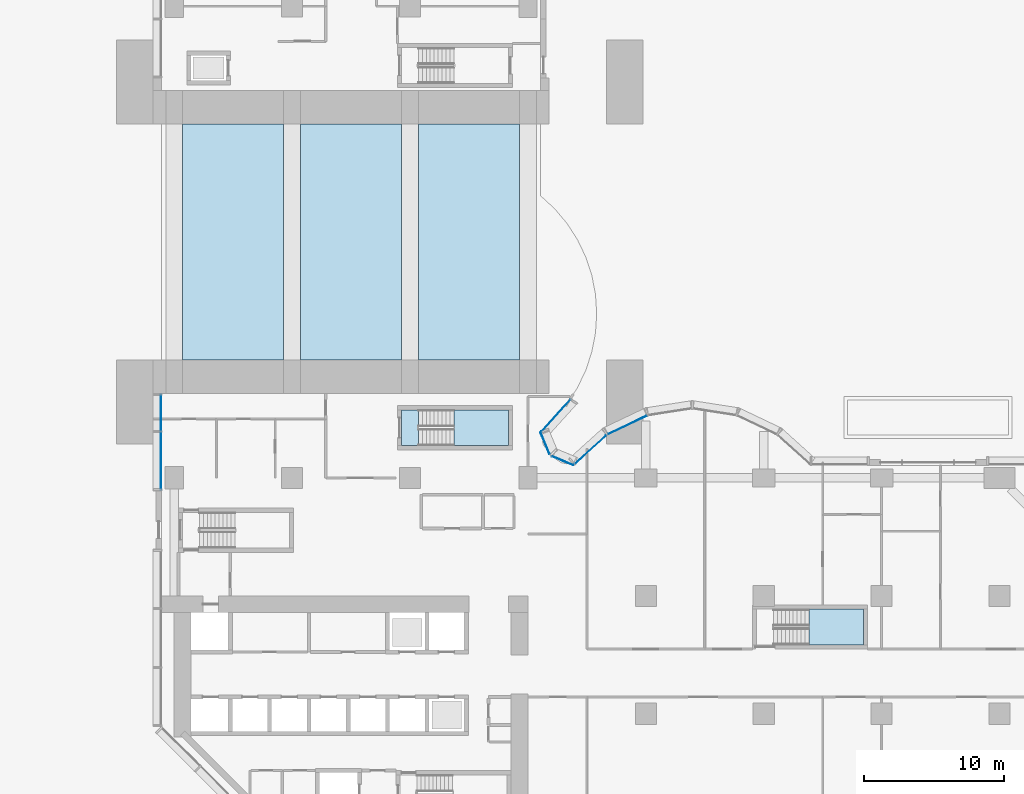
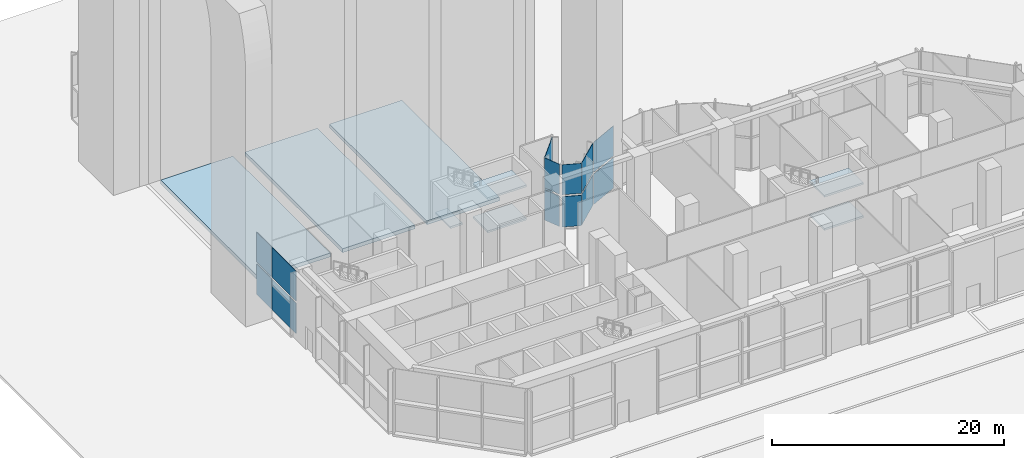
# One storey, part 5 of 21: 14 plates, 8 slabs, 6 elements without a shape of their own.
"""IFC4 building model written with IfcOpenShell, lengths in metres."""

import ifcopenshell
import ifcopenshell.guid

model = None  # the IFC model being written
_history = None  # IfcOwnerHistory: only IFC2X3 demands one
_inside = {}  # id of a spatial element -> (the spatial element, [elements in it])
_under = {}  # id of a project, library or spatial element -> (it, [spatial elements below it])
_declared = {}  # id of a project -> (the project, [libraries it declares])
_typed = {}  # id of a type object -> (the type object, [elements of that type])
_made_of = {}  # id of a material, layer set ... -> (it, [elements and type objects made of it])


def new_model(schema):
    """Start an empty IFC model of exactly this schema.

    Asked for "IFC4X3", IfcOpenShell would pick the latest addendum, in which some entities
    have other attributes; the version numbers below select the first issue.
    IFC2X3 requires an IfcOwnerHistory on every rooted entity: one is made here for all.
    """
    global model, _history
    if schema == "IFC4X3":
        model = ifcopenshell.file(schema_version=(4, 3, 0, 0))
    else:
        model = ifcopenshell.file(schema=schema)
    _inside.clear()
    _under.clear()
    _declared.clear()
    _typed.clear()
    _made_of.clear()
    _history = None
    if model.schema == "IFC2X3":
        org = make("IfcOrganization", Name="unknown")
        user = make(
            "IfcPersonAndOrganization",
            ThePerson=make("IfcPerson", FamilyName="unknown"),
            TheOrganization=org,
        )
        app = make(
            "IfcApplication",
            ApplicationDeveloper=org,
            Version="unknown",
            ApplicationFullName="unknown",
            ApplicationIdentifier="unknown",
        )
        _history = make(
            "IfcOwnerHistory",
            OwningUser=user,
            OwningApplication=app,
            ChangeAction="ADDED",
            CreationDate=0,
        )
    return model


def make(cls, **values):
    """One entity of the class cls with the attributes given. An attribute that is None is left unset."""
    return model.create_entity(
        cls, **{name: value for name, value in values.items() if value is not None}
    )


def rooted(cls, **values):
    """An entity with a GlobalId (a new one), such as an element, a storey or a relation."""
    return make(cls, GlobalId=ifcopenshell.guid.new(), OwnerHistory=_history, **values)


def si_unit(unit_type, name, prefix=None):
    """IfcSIUnit, for example si_unit("LENGTHUNIT", "METRE", prefix="MILLI")."""
    return make("IfcSIUnit", UnitType=unit_type, Prefix=prefix, Name=name)


def assignment(units):
    """IfcUnitAssignment: the units of a project."""
    return None if units is None else make("IfcUnitAssignment", Units=units)


def point(xyz):
    """IfcCartesianPoint."""
    return None if xyz is None else make("IfcCartesianPoint", Coordinates=xyz)


def direction(xyz):
    """IfcDirection."""
    return None if xyz is None else make("IfcDirection", DirectionRatios=xyz)


def frame(location, z_axis=None, x_axis=None):
    """IfcAxis2Placement3D, a coordinate frame: its origin and axes. An axis left out is left unset."""
    return make(
        "IfcAxis2Placement3D",
        Location=point(location),
        Axis=direction(z_axis),
        RefDirection=direction(x_axis),
    )


def origin():
    """The frame at (0, 0, 0) with its axes left unset."""
    return frame((0.0, 0.0, 0.0))


def place(relative_to, where):
    """IfcLocalPlacement: puts the frame where relative to a parent placement (None: the world)."""
    return make(
        "IfcLocalPlacement", PlacementRelTo=relative_to, RelativePlacement=where
    )


def context(
    kind, dimensions, precision=None, world=None, true_north=None, identifier=None
):
    """IfcGeometricRepresentationContext, for example the 3D "Model" context."""
    return make(
        "IfcGeometricRepresentationContext",
        ContextIdentifier=identifier,
        ContextType=kind,
        CoordinateSpaceDimension=dimensions,
        Precision=precision,
        WorldCoordinateSystem=world,
        TrueNorth=true_north,
    )


def subcontext(parent, identifier, kind, view, scale=None):
    """IfcGeometricRepresentationSubContext, for example "Body" below "Model"."""
    return make(
        "IfcGeometricRepresentationSubContext",
        ContextIdentifier=identifier,
        ContextType=kind,
        ParentContext=parent,
        TargetScale=scale,
        TargetView=view,
    )


def project(units=None, contexts=None):
    """IfcProject with its units and contexts."""
    return rooted(
        "IfcProject",
        Name="project",
        RepresentationContexts=contexts,
        UnitsInContext=assignment(units),
    )


def spatial(cls, under=None, at=None, **own):
    """A site, building, storey or space (cls), placed at a placement, below another one or the project."""
    s = rooted(cls, ObjectPlacement=at, **own)
    if under is not None:
        _under.setdefault(under.id(), (under, []))[1].append(s)
    return s


def polyline(points):
    """IfcPolyline through the points."""
    return make("IfcPolyline", Points=[point(p) for p in points])


def outline(outer, holes=None, kind="AREA"):
    """IfcArbitraryClosedProfileDef: a profile drawn as a closed curve; with holes, ...WithVoids."""
    if holes is None:
        return make("IfcArbitraryClosedProfileDef", ProfileType=kind, OuterCurve=outer)
    return make(
        "IfcArbitraryProfileDefWithVoids",
        ProfileType=kind,
        OuterCurve=outer,
        InnerCurves=holes,
    )


def extrude(swept, where, along, depth):
    """IfcExtrudedAreaSolid: the profile swept, set in the frame where, extruded along a direction by depth."""
    return make(
        "IfcExtrudedAreaSolid",
        SweptArea=swept,
        Position=where,
        ExtrudedDirection=direction(along),
        Depth=depth,
    )


def shape(context_of_items, identifier, shape_type, items):
    """IfcShapeRepresentation: the items that make up one representation, for example the "Body"."""
    return make(
        "IfcShapeRepresentation",
        ContextOfItems=context_of_items,
        RepresentationIdentifier=identifier,
        RepresentationType=shape_type,
        Items=items,
    )


def material(Name=None, Category=None):
    """IfcMaterial."""
    return make("IfcMaterial", Name=Name, Category=Category)


def layer(
    of_material, thickness, ventilated=None, Name=None, Category=None, Priority=None
):
    """IfcMaterialLayer: one layer of a wall or slab, of a material (None: an air gap)."""
    return make(
        "IfcMaterialLayer",
        Material=of_material,
        LayerThickness=thickness,
        IsVentilated=ventilated,
        Name=Name,
        Category=Category,
        Priority=Priority,
    )


def layer_set(layers, Name=None):
    """IfcMaterialLayerSet."""
    return make("IfcMaterialLayerSet", MaterialLayers=layers, LayerSetName=Name)


def made_of(thing, what):
    """Note that an element or type object is made of a material, layer set ...; save() writes the relation."""
    if what is not None:
        _made_of.setdefault(what.id(), (what, []))[1].append(thing)
    return thing


def type_object(cls, material=None, **own):
    """A type object (cls), such as IfcWallType, which elements share."""
    return made_of(rooted(cls, **own), material)


def element(
    cls,
    number,
    at=None,
    inside=None,
    cuts=None,
    type_object=None,
    material=None,
    context=None,
    identifier="Body",
    shape_type=None,
    held_by="IfcProductDefinitionShape",
    body=None,
    shapes=None,
    **own,
):
    """One element of the class cls, such as IfcWall. Its Tag is "e" and its number.

    at: its placement. inside: the storey or other place that contains it. cuts: it is an
    opening in that element (IfcRelVoidsElement). A single representation is given by context,
    identifier, shape_type and body (its items); several are given by shapes. held_by: the class
    of the entity that holds the representations. save() writes the other relations.
    """
    e = rooted(cls, Tag="e%d" % number, ObjectPlacement=at, **own)
    if body is not None:
        shapes = [shape(context, identifier, shape_type, body)]
    if shapes is not None:
        e.Representation = make(held_by, Representations=shapes)
    if inside is not None:
        _inside.setdefault(inside.id(), (inside, []))[1].append(e)
    if cuts is not None:
        rooted(
            "IfcRelVoidsElement", RelatingBuildingElement=cuts, RelatedOpeningElement=e
        )
    if type_object is not None:
        _typed.setdefault(type_object.id(), (type_object, []))[1].append(e)
    return made_of(e, material)


def aggregate(whole, parts):
    """IfcRelAggregates: a whole, such as a stair, and the parts it consists of."""
    return rooted("IfcRelAggregates", RelatingObject=whole, RelatedObjects=parts)


def save(model, path):
    """Write the relations noted so far, then the file.

    IfcRelAggregates (storeys below a building ...), IfcRelContainedInSpatialStructure (elements
    in a storey), IfcRelDefinesByType, IfcRelAssociatesMaterial and IfcRelDeclares: one each for
    every whole, place, type object, material and project.
    """
    for whole, parts in _under.values():
        aggregate(whole, parts)
    for where, things in _inside.values():
        rooted(
            "IfcRelContainedInSpatialStructure",
            RelatedElements=things,
            RelatingStructure=where,
        )
    for kind, things in _typed.values():
        rooted("IfcRelDefinesByType", RelatedObjects=things, RelatingType=kind)
    for what, things in _made_of.values():
        rooted("IfcRelAssociatesMaterial", RelatedObjects=things, RelatingMaterial=what)
    for by, libraries in _declared.values():
        rooted("IfcRelDeclares", RelatingContext=by, RelatedDefinitions=libraries)
    model.write(path)


model = new_model("IFC4")

# Units and contexts
model_context = context("Model", 3, precision=1e-05, world=origin(), true_north=direction((0.0, 1.0)))
body_context = subcontext(model_context, "Body", "Model", "MODEL_VIEW")
ifc_project = project(units=[si_unit("LENGTHUNIT", "METRE"), si_unit("AREAUNIT", "SQUARE_METRE"), si_unit("VOLUMEUNIT", "CUBIC_METRE"), si_unit("PLANEANGLEUNIT", "RADIAN"), si_unit("MASSUNIT", "GRAM", prefix="KILO")], contexts=[model_context])

# Site, building, storey
site_placement = place(None, origin())
site = spatial("IfcSite", under=ifc_project, at=site_placement, CompositionType="ELEMENT")
building_placement = place(site_placement, origin())
building = spatial("IfcBuilding", under=site, at=building_placement, Name="Brevane Broadcast Tower", CompositionType="ELEMENT")
storey_placement = place(building_placement, origin())
storey = spatial("IfcBuildingStorey", under=building, at=storey_placement, Name="L00", CompositionType="ELEMENT", Elevation=0.0)

# Curtain wall, plates
ifc_material_1 = material(Name="Aluminium 6063-T6 bronze anodised", Category="aluminium")
curtain_wall_type = type_object("IfcCurtainWallType", Name="CW-6 curtain wall", PredefinedType="NOTDEFINED", material=ifc_material_1)
curtain_wall_1_placement = place(storey_placement, origin())
curtain_wall_1 = element("IfcCurtainWall", 1, at=curtain_wall_1_placement, inside=storey, type_object=curtain_wall_type, Name="CW-6 ground storey storefront unit L00 east bow", PredefinedType="NOTDEFINED")
ifc_material_2 = material(Name="Laminated glass bronze-tinted", Category="glass")
ifc_layer_1 = layer(ifc_material_2, 0.0400390625)
ifc_layer_set_1 = layer_set([ifc_layer_1], Name="CW glass panel 40")
plate_type = type_object("IfcPlateType", Name="CW glass panel 40", PredefinedType="CURTAIN_PANEL", material=ifc_layer_set_1)
plate_1_placement = place(storey_placement, frame((0.0, 0.0, 0.199951171875)))
plate_1 = element("IfcPlate", 2, at=plate_1_placement, type_object=plate_type, Name="CW-6 glass panel", PredefinedType="CURTAIN_PANEL", context=body_context, shape_type="SweptSolid", body=[
    extrude(outline(polyline([(33.654541015625, 29.599365234375), (33.642578125, 29.637939453125), (30.911865234375, 28.337646484375), (30.934326171875, 28.30419921875), (33.654541015625, 29.599365234375)])), origin(), (0.0, 0.0, 1.0), 3.199951171875),
])
plate_2_placement = place(storey_placement, frame((0.0, 0.0, 3.60009765625)))
plate_2 = element("IfcPlate", 3, at=plate_2_placement, type_object=plate_type, Name="CW-6 glass panel", PredefinedType="CURTAIN_PANEL", context=body_context, shape_type="SweptSolid", body=[
    extrude(outline(polyline([(33.654541015625, 29.599365234375), (33.642578125, 29.637939453125), (30.911865234375, 28.337646484375), (30.934326171875, 28.30419921875), (33.654541015625, 29.599365234375)])), origin(), (0.0, 0.0, 1.0), 3.14990234375),
])
plate_3_placement = place(storey_placement, frame((0.0, 0.0, 0.199951171875)))
plate_3 = element("IfcPlate", 4, at=plate_3_placement, type_object=plate_type, Name="CW-6 glass panel", PredefinedType="CURTAIN_PANEL", context=body_context, shape_type="SweptSolid", body=[
    extrude(outline(polyline([(30.7822265625, 28.202392578125), (30.760009765625, 28.23583984375), (28.49755859375, 26.192138671875), (28.5244140625, 26.16259765625), (30.7822265625, 28.202392578125)])), origin(), (0.0, 0.0, 1.0), 3.199951171875),
])
plate_4_placement = place(storey_placement, frame((0.0, 0.0, 3.60009765625)))
plate_4 = element("IfcPlate", 5, at=plate_4_placement, type_object=plate_type, Name="CW-6 glass panel", PredefinedType="CURTAIN_PANEL", context=body_context, shape_type="SweptSolid", body=[
    extrude(outline(polyline([(30.7822265625, 28.202392578125), (30.760009765625, 28.23583984375), (28.49755859375, 26.192138671875), (28.5244140625, 26.16259765625), (30.7822265625, 28.202392578125)])), origin(), (0.0, 0.0, 1.0), 3.14990234375),
])
aggregate(curtain_wall_1, [plate_1, plate_2, plate_3, plate_4])

curtain_wall_2_placement = place(storey_placement, origin())
curtain_wall_2 = element("IfcCurtainWall", 6, at=curtain_wall_2_placement, inside=storey, type_object=curtain_wall_type, Name="CW-6 ground storey storefront unit L00 inner corner", PredefinedType="NOTDEFINED")
plate_5_placement = place(storey_placement, frame((0.0, 0.0, 0.199951171875)))
plate_5 = element("IfcPlate", 7, at=plate_5_placement, type_object=plate_type, Name="CW-6 glass panel", PredefinedType="CURTAIN_PANEL", context=body_context, shape_type="SweptSolid", body=[
    extrude(outline(polyline([(28.428466796875, 26.084228515625), (28.44384765625, 26.12109375), (26.918701171875, 26.7529296875), (26.88818359375, 26.722412109375), (28.428466796875, 26.084228515625)])), origin(), (0.0, 0.0, 1.0), 3.199951171875),
])
plate_6_placement = place(storey_placement, frame((0.0, 0.0, 3.60009765625)))
plate_6 = element("IfcPlate", 8, at=plate_6_placement, type_object=plate_type, Name="CW-6 glass panel", PredefinedType="CURTAIN_PANEL", context=body_context, shape_type="SweptSolid", body=[
    extrude(outline(polyline([(28.428466796875, 26.084228515625), (28.44384765625, 26.12109375), (26.918701171875, 26.7529296875), (26.88818359375, 26.722412109375), (28.428466796875, 26.084228515625)])), origin(), (0.0, 0.0, 1.0), 3.14990234375),
])
plate_7_placement = place(storey_placement, frame((0.0, 0.0, 0.199951171875)))
plate_7 = element("IfcPlate", 9, at=plate_7_placement, type_object=plate_type, Name="CW-6 glass panel", PredefinedType="CURTAIN_PANEL", context=body_context, shape_type="SweptSolid", body=[
    extrude(outline(polyline([(26.722412109375, 26.88818359375), (26.7529296875, 26.918701171875), (26.12109375, 28.44384765625), (26.084228515625, 28.428466796875), (26.722412109375, 26.88818359375)])), origin(), (0.0, 0.0, 1.0), 3.199951171875),
])
plate_8_placement = place(storey_placement, frame((0.0, 0.0, 3.60009765625)))
plate_8 = element("IfcPlate", 10, at=plate_8_placement, type_object=plate_type, Name="CW-6 glass panel", PredefinedType="CURTAIN_PANEL", context=body_context, shape_type="SweptSolid", body=[
    extrude(outline(polyline([(26.722412109375, 26.88818359375), (26.7529296875, 26.918701171875), (26.12109375, 28.44384765625), (26.084228515625, 28.428466796875), (26.722412109375, 26.88818359375)])), origin(), (0.0, 0.0, 1.0), 3.14990234375),
])
aggregate(curtain_wall_2, [plate_5, plate_6, plate_7, plate_8])

curtain_wall_3_placement = place(storey_placement, origin())
curtain_wall_3 = element("IfcCurtainWall", 11, at=curtain_wall_3_placement, inside=storey, type_object=curtain_wall_type, Name="CW-6 ground storey storefront unit L00 north bow", PredefinedType="NOTDEFINED")
plate_9_placement = place(storey_placement, frame((0.0, 0.0, 0.199951171875)))
plate_9 = element("IfcPlate", 12, at=plate_9_placement, type_object=plate_type, Name="CW-6 glass panel", PredefinedType="CURTAIN_PANEL", context=body_context, shape_type="SweptSolid", body=[
    extrude(outline(polyline([(26.16259765625, 28.5244140625), (26.192138671875, 28.49755859375), (28.23583984375, 30.760009765625), (28.202392578125, 30.7822265625), (26.16259765625, 28.5244140625)])), origin(), (0.0, 0.0, 1.0), 3.199951171875),
])
plate_10_placement = place(storey_placement, frame((0.0, 0.0, 3.60009765625)))
plate_10 = element("IfcPlate", 13, at=plate_10_placement, type_object=plate_type, Name="CW-6 glass panel", PredefinedType="CURTAIN_PANEL", context=body_context, shape_type="SweptSolid", body=[
    extrude(outline(polyline([(26.16259765625, 28.5244140625), (26.192138671875, 28.49755859375), (28.23583984375, 30.760009765625), (28.202392578125, 30.7822265625), (26.16259765625, 28.5244140625)])), origin(), (0.0, 0.0, 1.0), 3.14990234375),
])
aggregate(curtain_wall_3, [plate_9, plate_10])

curtain_wall_4_placement = place(storey_placement, origin())
curtain_wall_4 = element("IfcCurtainWall", 14, at=curtain_wall_4_placement, inside=storey, type_object=curtain_wall_type, Name="CW-6 ground storey storefront unit L00 west face", PredefinedType="NOTDEFINED")
plate_11_placement = place(storey_placement, frame((0.0, 0.0, 0.199951171875)))
plate_11 = element("IfcPlate", 15, at=plate_11_placement, type_object=plate_type, Name="CW-6 glass panel", PredefinedType="CURTAIN_PANEL", context=body_context, shape_type="SweptSolid", body=[
    extrude(outline(polyline([(-0.969970703125, 28.56005859375), (-0.929931640625, 28.56005859375), (-0.929931640625, 31.139892578125), (-0.969970703125, 31.139892578125), (-0.969970703125, 28.56005859375)])), origin(), (0.0, 0.0, 1.0), 3.199951171875),
])
plate_12_placement = place(storey_placement, frame((0.0, 0.0, 3.60009765625)))
plate_12 = element("IfcPlate", 16, at=plate_12_placement, type_object=plate_type, Name="CW-6 glass panel", PredefinedType="CURTAIN_PANEL", context=body_context, shape_type="SweptSolid", body=[
    extrude(outline(polyline([(-0.969970703125, 28.56005859375), (-0.929931640625, 28.56005859375), (-0.929931640625, 31.139892578125), (-0.969970703125, 31.139892578125), (-0.969970703125, 28.56005859375)])), origin(), (0.0, 0.0, 1.0), 3.14990234375),
])
plate_13_placement = place(storey_placement, frame((0.0, 0.0, 0.199951171875)))
plate_13 = element("IfcPlate", 17, at=plate_13_placement, type_object=plate_type, Name="CW-6 glass panel", PredefinedType="CURTAIN_PANEL", context=body_context, shape_type="SweptSolid", body=[
    extrude(outline(polyline([(-0.969970703125, 24.360107421875), (-0.929931640625, 24.360107421875), (-0.929931640625, 28.43994140625), (-0.969970703125, 28.43994140625), (-0.969970703125, 24.360107421875)])), origin(), (0.0, 0.0, 1.0), 3.199951171875),
])
plate_14_placement = place(storey_placement, frame((0.0, 0.0, 3.60009765625)))
plate_14 = element("IfcPlate", 18, at=plate_14_placement, type_object=plate_type, Name="CW-6 glass panel", PredefinedType="CURTAIN_PANEL", context=body_context, shape_type="SweptSolid", body=[
    extrude(outline(polyline([(-0.969970703125, 24.360107421875), (-0.929931640625, 24.360107421875), (-0.929931640625, 28.43994140625), (-0.969970703125, 28.43994140625), (-0.969970703125, 24.360107421875)])), origin(), (0.0, 0.0, 1.0), 3.14990234375),
])
aggregate(curtain_wall_4, [plate_11, plate_12, plate_13, plate_14])

# Stair, slabs
ifc_material_3 = material(Name="Concrete C50/60", Category="concrete")
stair_type = type_object("IfcStairType", Name="Exit stair 40 risers", PredefinedType="HALF_TURN_STAIR", material=ifc_material_3)
stair_1_placement = place(storey_placement, origin())
stair_1 = element("IfcStair", 19, at=stair_1_placement, inside=storey, type_object=stair_type, Name="L00 Exit stair ST-3", PredefinedType="HALF_TURN_STAIR")
ifc_layer_2 = layer(ifc_material_3, 0.199951171875)
ifc_layer_set_2 = layer_set([ifc_layer_2], Name="Exit stair landing")
slab_type_1 = type_object("IfcSlabType", Name="Exit stair landing", PredefinedType="LANDING", material=ifc_layer_set_2)
slab_1_placement = place(storey_placement, frame((0.0, 0.0, 1.550048828125)))
slab_1 = element("IfcSlab", 20, at=slab_1_placement, type_object=slab_type_1, Name="ST-3 landing 1", PredefinedType="LANDING", context=body_context, shape_type="SweptSolid", body=[
    extrude(outline(polyline([(19.919921875, 27.5), (23.800048828125, 27.5), (23.800048828125, 30.050048828125), (19.919921875, 30.050048828125), (19.919921875, 27.5)])), origin(), (0.0, 0.0, 1.0), 0.199951171875),
])
slab_2_placement = place(storey_placement, frame((0.0, 0.0, 3.300048828125)))
slab_2 = element("IfcSlab", 21, at=slab_2_placement, type_object=slab_type_1, Name="ST-3 landing 2", PredefinedType="LANDING", context=body_context, shape_type="SweptSolid", body=[
    extrude(outline(polyline([(16.199951171875, 27.5), (17.39990234375, 27.5), (17.39990234375, 30.050048828125), (16.199951171875, 30.050048828125), (16.199951171875, 27.5)])), origin(), (0.0, 0.0, 1.0), 0.199951171875),
])
slab_3_placement = place(storey_placement, frame((0.0, 0.0, 5.050048828125)))
slab_3 = element("IfcSlab", 22, at=slab_3_placement, type_object=slab_type_1, Name="ST-3 landing 3", PredefinedType="LANDING", context=body_context, shape_type="SweptSolid", body=[
    extrude(outline(polyline([(19.919921875, 27.5), (23.800048828125, 27.5), (23.800048828125, 30.050048828125), (19.919921875, 30.050048828125), (19.919921875, 27.5)])), origin(), (0.0, 0.0, 1.0), 0.199951171875),
])
aggregate(stair_1, [slab_1, slab_2, slab_3])

stair_2_placement = place(storey_placement, origin())
stair_2 = element("IfcStair", 23, at=stair_2_placement, inside=storey, type_object=stair_type, Name="L00 Exit stair ST-4", PredefinedType="HALF_TURN_STAIR")
slab_4_placement = place(storey_placement, frame((0.0, 0.0, 1.550048828125)))
slab_4 = element("IfcSlab", 24, at=slab_4_placement, type_object=slab_type_1, Name="ST-4 landing 1", PredefinedType="LANDING", context=body_context, shape_type="SweptSolid", body=[
    extrude(outline(polyline([(45.219970703125, 13.300048828125), (49.10009765625, 13.300048828125), (49.10009765625, 15.85009765625), (45.219970703125, 15.85009765625), (45.219970703125, 13.300048828125)])), origin(), (0.0, 0.0, 1.0), 0.199951171875),
])
slab_5_placement = place(storey_placement, frame((0.0, 0.0, 5.050048828125)))
slab_5 = element("IfcSlab", 25, at=slab_5_placement, type_object=slab_type_1, Name="ST-4 landing 3", PredefinedType="LANDING", context=body_context, shape_type="SweptSolid", body=[
    extrude(outline(polyline([(45.219970703125, 13.300048828125), (49.10009765625, 13.300048828125), (49.10009765625, 15.85009765625), (45.219970703125, 15.85009765625), (45.219970703125, 13.300048828125)])), origin(), (0.0, 0.0, 1.0), 0.199951171875),
])
aggregate(stair_2, [slab_4, slab_5])

# Slabs
ifc_material_4 = material(Name="Concrete C40/50", Category="concrete")
ifc_layer_3 = layer(ifc_material_4, 0.39990234375)
ifc_layer_set_3 = layer_set([ifc_layer_3], Name="RC FLOOR SLAB 400 C40/50")
slab_type_2 = type_object("IfcSlabType", Name="RC FLOOR SLAB 400 C40/50", PredefinedType="FLOOR", material=ifc_layer_set_3)
slab_6_placement = place(storey_placement, frame((0.0, 0.0, -0.39990234375)))
element("IfcSlab", 26, at=slab_6_placement, inside=storey, type_object=slab_type_2, Name="SL400 L00", PredefinedType="FLOOR", context=body_context, shape_type="SweptSolid", body=[
    extrude(outline(polyline([(9.0, 50.39990234375), (16.199951171875, 50.39990234375), (16.199951171875, 33.60009765625), (9.0, 33.60009765625), (9.0, 50.39990234375)])), origin(), (0.0, 0.0, 1.0), 0.39990234375),
])
slab_7_placement = place(storey_placement, frame((0.0, 0.0, -0.39990234375)))
element("IfcSlab", 27, at=slab_7_placement, inside=storey, type_object=slab_type_2, Name="SL400 L00", PredefinedType="FLOOR", context=body_context, shape_type="SweptSolid", body=[
    extrude(outline(polyline([(7.800048828125, 33.60009765625), (0.60009765625, 33.60009765625), (0.60009765625, 50.39990234375), (7.800048828125, 50.39990234375), (7.800048828125, 33.60009765625)])), origin(), (0.0, 0.0, 1.0), 0.39990234375),
])
slab_8_placement = place(storey_placement, frame((0.0, 0.0, -0.39990234375)))
element("IfcSlab", 28, at=slab_8_placement, inside=storey, type_object=slab_type_2, Name="SL400 L00", PredefinedType="FLOOR", context=body_context, shape_type="SweptSolid", body=[
    extrude(outline(polyline([(24.60009765625, 33.60009765625), (17.39990234375, 33.60009765625), (17.39990234375, 50.39990234375), (24.60009765625, 50.39990234375), (24.60009765625, 33.60009765625)])), origin(), (0.0, 0.0, 1.0), 0.39990234375),
])

save(model, "model.ifc")
